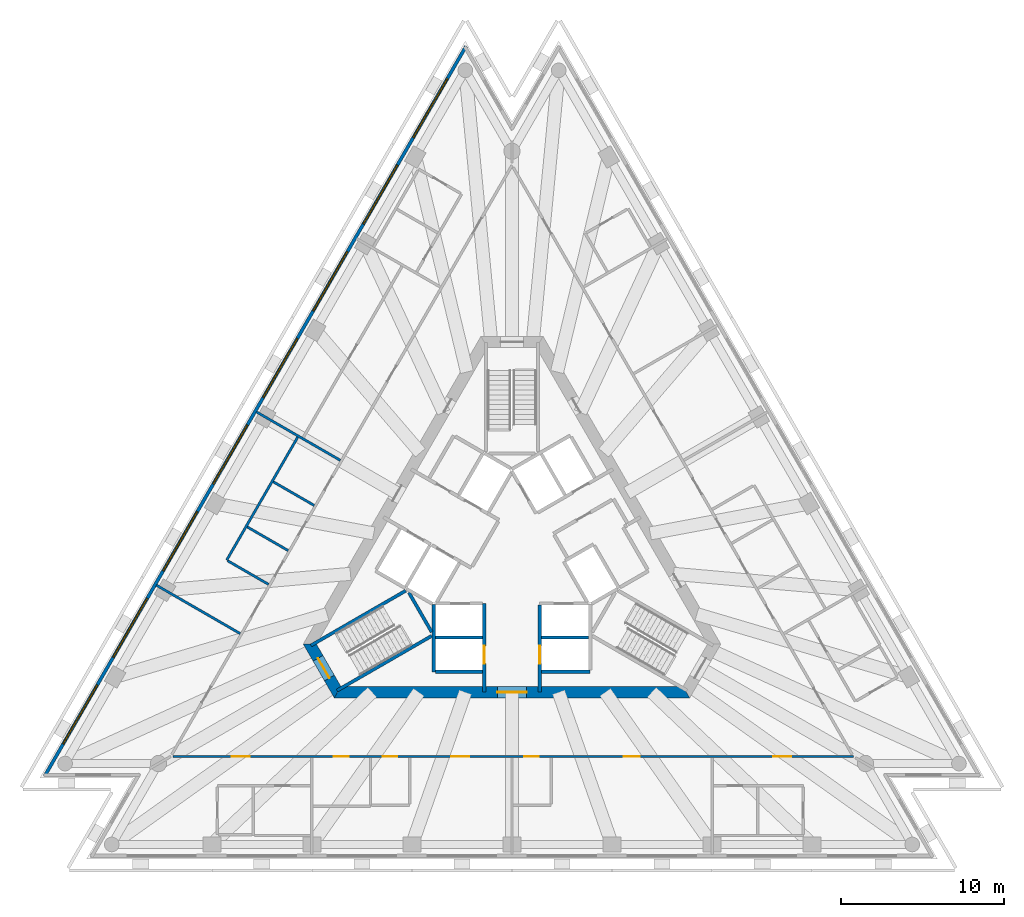
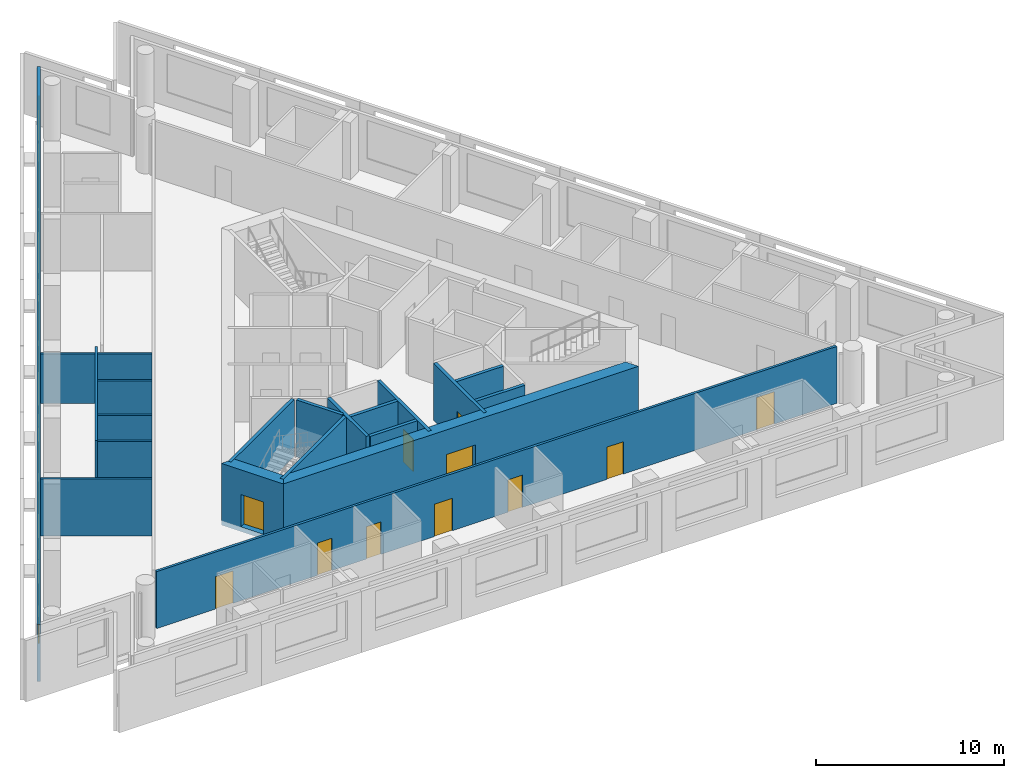
# One storey, part 3 of 9: 20 walls, 11 doors, 8 windows, 19 openings.
"""IFC4 building model written with IfcOpenShell, lengths in metres."""

from ifc_helpers import new_model, si_unit, direction, frame, frame_2d, origin, place, context, subcontext, project, spatial, polyline, rectangle, outline, extrude, material, layer, layer_set, layer_usage, type_object, element, fill, save


model = new_model("IFC4")

# Units and contexts
model_context = context("Model", 3, precision=1e-05, world=origin(), true_north=direction((0.0, 1.0)))
body_context = subcontext(model_context, "Body", "Model", "MODEL_VIEW")
ifc_project = project(units=[si_unit("LENGTHUNIT", "METRE"), si_unit("AREAUNIT", "SQUARE_METRE"), si_unit("VOLUMEUNIT", "CUBIC_METRE"), si_unit("PLANEANGLEUNIT", "RADIAN"), si_unit("MASSUNIT", "GRAM", prefix="KILO")], contexts=[model_context])

# Site, building, storey
site_placement = place(None, origin())
site = spatial("IfcSite", under=ifc_project, at=site_placement, CompositionType="ELEMENT")
building_placement = place(site_placement, origin())
building = spatial("IfcBuilding", under=site, at=building_placement, Name="Triada Interchange Tower", CompositionType="ELEMENT")
storey_placement = place(building_placement, frame((0.0, 0.0, 203.300048828125)))
storey = spatial("IfcBuildingStorey", under=building, at=storey_placement, Name="L47", CompositionType="ELEMENT", Elevation=203.300048828125)

# Walls
ifc_material_1 = material(Name="Concrete C30/37", Category="concrete")
ifc_layer_1 = layer(ifc_material_1, 0.199951171875)
ifc_layer_set_1 = layer_set([ifc_layer_1], Name="CORE WALL 200 EI 120")
wall_type_1 = type_object("IfcWallType", Name="CORE WALL 200 EI 120", PredefinedType="SOLIDWALL", material=ifc_layer_set_1)
for number, where, z_axis, x_axis, name in (
    (1, (-4.699951171875, -4.800048828125, 0.0), (0.0, 0.0, 1.0), (1.0, 0.0, 0.0), "Wall L47 55"),
    (2, (1.800048828125, -4.800048828125, 0.0), (0.0, 0.0, 1.0), (1.0, 0.0, 0.0), "Wall L47 56"),
):
    element("IfcWall", number, at=place(storey_placement, frame(where, z_axis=z_axis, x_axis=x_axis)), inside=storey, type_object=wall_type_1, Name=name, PredefinedType="SOLIDWALL", context=body_context, shape_type="SweptSolid", body=[
        extrude(rectangle(XDim=2.89990234375, YDim=0.199951171875, at=frame_2d((1.449951171875, 0.0))), origin(), (0.0, 0.0, 1.0), 3.699951171875),
    ])
wall_1_placement = place(storey_placement, frame((-4.800048828125, -6.89990234375, 0.0), z_axis=(0.0, 0.0, 1.0), x_axis=(0.0, 1.0, 0.0)))
element("IfcWall", 3, at=wall_1_placement, inside=storey, type_object=wall_type_1, Name="Wall L47 57", PredefinedType="SOLIDWALL", context=body_context, shape_type="SweptSolid", body=[
    extrude(rectangle(XDim=4.130859375, YDim=0.199951171875, at=frame_2d((2.0654296875, 0.0))), origin(), (0.0, 0.0, 1.0), 3.699951171875),
])
wall_2_placement = place(storey_placement, frame((-4.699951171875, -6.89990234375, 0.0), z_axis=(0.0, 0.0, 1.0), x_axis=(1.0, 0.0, 0.0)))
element("IfcWall", 4, at=wall_2_placement, inside=storey, type_object=wall_type_1, Name="Wall L47 58", PredefinedType="SOLIDWALL", context=body_context, shape_type="SweptSolid", body=[
    extrude(rectangle(XDim=2.89990234375, YDim=0.199951171875, at=frame_2d((1.449951171875, 0.0))), origin(), (0.0, 0.0, 1.0), 3.699951171875),
])
wall_3_placement = place(storey_placement, frame((1.800048828125, -6.89990234375, 0.0), z_axis=(0.0, 0.0, 1.0), x_axis=(1.0, 0.0, 0.0)))
element("IfcWall", 5, at=wall_3_placement, inside=storey, type_object=wall_type_1, Name="Wall L47 59", PredefinedType="SOLIDWALL", context=body_context, shape_type="SweptSolid", body=[
    extrude(rectangle(XDim=3.0, YDim=0.199951171875, at=frame_2d((1.5, 0.0))), origin(), (0.0, 0.0, 1.0), 3.699951171875),
])

# Wall, opening, door
wall_4_placement = place(storey_placement, frame((-1.699951171875, -8.1298828125, 0.0), z_axis=(0.0, 0.0, 1.0), x_axis=(0.0, 1.0, 0.0)))
wall_4 = element("IfcWall", 6, at=wall_4_placement, inside=storey, type_object=wall_type_1, Name="Wall L47 60", PredefinedType="SOLIDWALL", context=body_context, shape_type="SweptSolid", body=[
    extrude(rectangle(XDim=5.427001953125, YDim=0.199951171875, at=frame_2d((2.71337890625, 0.0))), origin(), (0.0, 0.0, 1.0), 3.699951171875),
])
opening_1_placement = place(wall_4_placement, frame((1.72998046875, 0.0, 0.0)))
opening_1 = element("IfcOpeningElement", 7, at=opening_1_placement, cuts=wall_4, Name="Opening LD-HR4", PredefinedType="OPENING", context=body_context, shape_type="SweptSolid", body=[
    extrude(rectangle(XDim=1.10009765625, YDim=2.10009765625, at=frame_2d((0.550048828125, 1.050048828125))), frame((0.0, 0.10986328125, 0.0), z_axis=(0.0, -1.0, 0.0), x_axis=(1.0, 0.0, 0.0)), (0.0, 0.0, 1.0), 0.219970703125),
])
ifc_material_2 = material(Name="Steel S235 door leaf", Category="steel")
door_type_1 = type_object("IfcDoorType", Name="LIFT LANDING DOOR 1100 EI 120", OperationType="SLIDING_TO_LEFT", PredefinedType="DOOR", material=ifc_material_2)
door_1_placement = place(opening_1_placement, origin())
door_1 = element("IfcDoor", 8, at=door_1_placement, inside=storey, type_object=door_type_1, Name="HR4 landing door L47", OperationType="SLIDING_TO_LEFT", OverallHeight=2.10009765625, OverallWidth=1.10009765625, PredefinedType="DOOR", context=body_context, shape_type="SweptSolid", body=[
    extrude(rectangle(XDim=1.10009765625, YDim=2.10009765625, at=frame_2d((0.550048828125, 1.050048828125))), frame((0.0, 0.02490234375, 0.0), z_axis=(0.0, -1.0, 0.0), x_axis=(1.0, 0.0, 0.0)), (0.0, 0.0, 1.0), 0.050048828125),
])
fill(opening_1, door_1)

wall_5_placement = place(storey_placement, frame((1.699951171875, -8.1298828125, 0.0), z_axis=(0.0, 0.0, 1.0), x_axis=(0.0, 1.0, 0.0)))
wall_5 = element("IfcWall", 9, at=wall_5_placement, inside=storey, type_object=wall_type_1, Name="Wall L47 67", PredefinedType="SOLIDWALL", context=body_context, shape_type="SweptSolid", body=[
    extrude(rectangle(XDim=5.326904296875, YDim=0.199951171875, at=frame_2d((2.66357421875, 0.0))), origin(), (0.0, 0.0, 1.0), 3.699951171875),
])
opening_2_placement = place(wall_5_placement, frame((1.72998046875, 0.0, 0.0)))
opening_2 = element("IfcOpeningElement", 10, at=opening_2_placement, cuts=wall_5, Name="Opening LD-HR2", PredefinedType="OPENING", context=body_context, shape_type="SweptSolid", body=[
    extrude(rectangle(XDim=1.10009765625, YDim=2.10009765625, at=frame_2d((0.550048828125, 1.050048828125))), frame((0.0, 0.10986328125, 0.0), z_axis=(0.0, -1.0, 0.0), x_axis=(1.0, 0.0, 0.0)), (0.0, 0.0, 1.0), 0.219970703125),
])
door_2_placement = place(opening_2_placement, origin())
door_2 = element("IfcDoor", 11, at=door_2_placement, inside=storey, type_object=door_type_1, Name="HR2 landing door L47", OperationType="SLIDING_TO_LEFT", OverallHeight=2.10009765625, OverallWidth=1.10009765625, PredefinedType="DOOR", context=body_context, shape_type="SweptSolid", body=[
    extrude(rectangle(XDim=1.10009765625, YDim=2.10009765625, at=frame_2d((0.550048828125, 1.050048828125))), frame((0.0, 0.02490234375, 0.0), z_axis=(0.0, -1.0, 0.0), x_axis=(1.0, 0.0, 0.0)), (0.0, 0.0, 1.0), 0.050048828125),
])
fill(opening_2, door_2)

# Walls
ifc_layer_2 = layer(ifc_material_1, 0.199951171875)
ifc_layer_set_2 = layer_set([ifc_layer_2], Name="CORE WALL 200 REI 240")
wall_type_2 = type_object("IfcWallType", Name="CORE WALL 200 REI 240", PredefinedType="SOLIDWALL", material=ifc_layer_set_2)
wall_6_placement = place(storey_placement, frame((-12.343994140625, -5.279052734375, 0.0), z_axis=(0.0, 0.0, 1.0), x_axis=(0.866046323291, 0.499963764601, 0.0)))
element("IfcWall", 12, at=wall_6_placement, inside=storey, type_object=wall_type_2, Name="Wall L47 96", PredefinedType="SOLIDWALL", context=body_context, shape_type="SweptSolid", body=[
    extrude(rectangle(XDim=6.71435546875, YDim=0.199951171875, at=frame_2d((3.357177734375, 0.0))), origin(), (0.0, 0.0, 1.0), 3.699951171875),
])
wall_7_placement = place(storey_placement, frame((-6.3291015625, -2.0380859375, 0.0), z_axis=(0.0, 0.0, 1.0), x_axis=(0.500200581029, -0.865909567298, 0.0)))
element("IfcWall", 13, at=wall_7_placement, inside=storey, type_object=wall_type_2, Name="Wall L47 97", PredefinedType="SOLIDWALL", context=body_context, shape_type="SweptSolid", body=[
    extrude(rectangle(XDim=2.799072265625, YDim=0.199951171875, at=frame_2d((1.3994140625, 0.0))), origin(), (0.0, 0.0, 1.0), 3.699951171875),
])
wall_8_placement = place(storey_placement, frame((-10.743896484375, -8.051025390625, 0.0), z_axis=(0.0, 0.0, 1.0), x_axis=(0.865983344943, 0.500072840975, 0.0)))
element("IfcWall", 14, at=wall_8_placement, inside=storey, type_object=wall_type_2, Name="Wall L47 98", PredefinedType="SOLIDWALL", context=body_context, shape_type="SweptSolid", body=[
    extrude(rectangle(XDim=6.71484375, YDim=0.199951171875, at=frame_2d((3.357421875, 0.0))), origin(), (0.0, 0.0, 1.0), 3.699951171875),
])

# Wall, opening, door
ifc_material_3 = material(Name="Concrete C50/60", Category="concrete")
ifc_layer_3 = layer(ifc_material_3, 0.699951171875)
ifc_layer_set_3 = layer_set([ifc_layer_3], Name="Core wall C 700")
wall_type_3 = type_object("IfcWallType", Name="Core wall C 700", PredefinedType="SHEAR", material=ifc_layer_set_3)
wall_9_placement = place(storey_placement, frame((-12.4130859375, -5.199951171875, -0.300048828125), z_axis=(0.0, 0.0, 1.0), x_axis=(0.49999337185, -0.866029230515, 0.0)))
wall_9 = element("IfcWall", 15, at=wall_9_placement, inside=storey, type_object=wall_type_3, Name="Core wall WC03 L47", PredefinedType="SHEAR", context=body_context, shape_type="SweptSolid", body=[
    extrude(outline(polyline([(-0.201904296875, -0.35009765625), (1.703125, -0.35009765625), (3.60791015625, -0.35009765625), (3.2041015625, 0.35009765625), (1.703125, 0.35009765625), (0.201904296875, 0.35009765625), (-0.201904296875, -0.35009765625)])), origin(), (0.0, 0.0, 1.0), 4.0),
])
opening_3_placement = place(wall_9_placement, frame((1.0029296875, 0.0, 0.300048828125)))
opening_3 = element("IfcOpeningElement", 16, at=opening_3_placement, cuts=wall_9, Name="Opening D47-45", PredefinedType="OPENING", context=body_context, shape_type="SweptSolid", body=[
    extrude(rectangle(XDim=1.39990234375, YDim=2.10009765625, at=frame_2d((0.699951171875, 1.050048828125))), frame((0.0, 0.360107421875, 0.0), z_axis=(0.0, -1.0, 0.0), x_axis=(1.0, 0.0, 0.0)), (0.0, 0.0, 1.0), 0.72021484375),
])
door_type_2 = type_object("IfcDoorType", Name="STAIR DOOR 1400 EI2 90-C5S200", OperationType="DOUBLE_DOOR_SINGLE_SWING", PredefinedType="DOOR", material=ifc_material_2)
door_3_placement = place(opening_3_placement, origin())
door_3 = element("IfcDoor", 17, at=door_3_placement, inside=storey, type_object=door_type_2, Name="Door D47-45 L47", OperationType="DOUBLE_DOOR_SINGLE_SWING", OverallHeight=2.10009765625, OverallWidth=1.39990234375, PredefinedType="DOOR", context=body_context, shape_type="SweptSolid", body=[
    extrude(rectangle(XDim=1.39990234375, YDim=2.10009765625, at=frame_2d((0.699951171875, 1.050048828125))), frame((0.0, 0.02490234375, 0.0), z_axis=(0.0, -1.0, 0.0), x_axis=(1.0, 0.0, 0.0)), (0.0, 0.0, 1.0), 0.050048828125),
])
fill(opening_3, door_3)

wall_10_placement = place(storey_placement, frame((-10.7099609375, -8.14990234375, -0.300048828125), z_axis=(0.0, 0.0, 1.0), x_axis=(1.0, 0.0, 0.0)))
wall_10 = element("IfcWall", 18, at=wall_10_placement, inside=storey, type_object=wall_type_3, Name="Core wall WC04 L47", PredefinedType="SHEAR", context=body_context, shape_type="SweptSolid", body=[
    extrude(outline(polyline([(-0.201904296875, -0.35009765625), (1.781982421875, -0.35009765625), (3.76611328125, -0.35009765625), (5.75, -0.35009765625), (7.734130859375, -0.35009765625), (9.718017578125, -0.35009765625), (11.7021484375, -0.35009765625), (13.68603515625, -0.35009765625), (15.670166015625, -0.35009765625), (17.654052734375, -0.35009765625), (19.63818359375, -0.35009765625), (21.6220703125, -0.35009765625), (21.218017578125, 0.35009765625), (19.307373046875, 0.35009765625), (17.39697265625, 0.35009765625), (15.486328125, 0.35009765625), (13.57568359375, 0.35009765625), (11.665283203125, 0.35009765625), (9.754638671875, 0.35009765625), (7.84423828125, 0.35009765625), (5.93359375, 0.35009765625), (4.02294921875, 0.35009765625), (2.112548828125, 0.35009765625), (0.201904296875, 0.35009765625), (-0.201904296875, -0.35009765625)])), origin(), (0.0, 0.0, 1.0), 4.0),
])
opening_4_placement = place(wall_10_placement, frame((9.81005859375, 0.0, 0.300048828125)))
opening_4 = element("IfcOpeningElement", 19, at=opening_4_placement, cuts=wall_10, Name="Opening D47-43", PredefinedType="OPENING", context=body_context, shape_type="SweptSolid", body=[
    extrude(rectangle(XDim=1.800048828125, YDim=2.10009765625, at=frame_2d((0.89990234375, 1.050048828125))), frame((0.0, 0.360107421875, 0.0), z_axis=(0.0, -1.0, 0.0), x_axis=(1.0, 0.0, 0.0)), (0.0, 0.0, 1.0), 0.72021484375),
])
door_type_3 = type_object("IfcDoorType", Name="LOBBY DOOR 1800 EI2 90-C5S200", OperationType="DOUBLE_DOOR_SINGLE_SWING", PredefinedType="DOOR", material=ifc_material_2)
door_4_placement = place(opening_4_placement, origin())
door_4 = element("IfcDoor", 20, at=door_4_placement, inside=storey, type_object=door_type_3, Name="Door D47-43 L47", OperationType="DOUBLE_DOOR_SINGLE_SWING", OverallHeight=2.10009765625, OverallWidth=1.800048828125, PredefinedType="DOOR", context=body_context, shape_type="SweptSolid", body=[
    extrude(rectangle(XDim=1.800048828125, YDim=2.10009765625, at=frame_2d((0.89990234375, 1.050048828125))), frame((0.0, 0.02490234375, 0.0), z_axis=(0.0, -1.0, 0.0), x_axis=(1.0, 0.0, 0.0)), (0.0, 0.0, 1.0), 0.050048828125),
])
fill(opening_4, door_4)

# Wall, openings, windows
ifc_material_4 = material(Name="Cement board")
ifc_layer_4 = layer(ifc_material_4, 0.02001953125, Name="Cement board cladding")
ifc_material_5 = material(Name="Sheathing board")
ifc_layer_5 = layer(ifc_material_5, 0.014892578125, Name="Sheathing board")
ifc_material_6 = material(Name="Mineral wool")
ifc_layer_6 = layer(ifc_material_6, 0.14990234375, Name="Mineral wool between steel studs")
ifc_material_7 = material(Name="Gypsum board")
ifc_layer_7 = layer(ifc_material_7, 0.014892578125, Name="Plasterboard lining")
ifc_layer_set_4 = layer_set([ifc_layer_4, ifc_layer_5, ifc_layer_6, ifc_layer_7], Name="External wall 200")
ifc_layer_usage = layer_usage(ifc_layer_set_4, "AXIS2", "POSITIVE", -0.10009765625)
wall_type_4 = type_object("IfcWallType", Name="External wall 200", PredefinedType="ELEMENTEDWALL", material=ifc_layer_set_4)
wall_11_placement = place(storey_placement, frame((-2.823974609375, 31.512939453125, 0.0), z_axis=(0.0, 0.0, 1.0), x_axis=(-0.500012324412, -0.866018288165, 0.0)))
wall_11 = element("IfcWall", 21, at=wall_11_placement, inside=storey, type_object=wall_type_4, material=ifc_layer_usage, Name="External wall L47 NW", PredefinedType="ELEMENTEDWALL", context=body_context, shape_type="SweptSolid", body=[
    extrude(rectangle(XDim=51.739013671875, YDim=0.199951171875, at=frame_2d((25.86962890625, 0.0))), origin(), (0.0, 0.0, 1.0), 3.699951171875),
])
opening_5_placement = place(wall_11_placement, frame((2.27490234375, 0.0, 0.89990234375)))
opening_5 = element("IfcOpeningElement", 22, at=opening_5_placement, cuts=wall_11, Name="Opening WC01", PredefinedType="OPENING", context=body_context, shape_type="SweptSolid", body=[
    extrude(rectangle(XDim=4.199951171875, YDim=2.5, at=frame_2d((2.10009765625, 1.25))), frame((0.0, 0.10986328125, 0.0), z_axis=(0.0, -1.0, 0.0), x_axis=(1.0, 0.0, 0.0)), (0.0, 0.0, 1.0), 0.219970703125),
])
opening_6_placement = place(wall_11_placement, frame((8.4189453125, 0.0, 0.89990234375)))
opening_6 = element("IfcOpeningElement", 23, at=opening_6_placement, cuts=wall_11, Name="Opening WC02", PredefinedType="OPENING", context=body_context, shape_type="SweptSolid", body=[
    extrude(rectangle(XDim=4.199951171875, YDim=2.5, at=frame_2d((2.10009765625, 1.25))), frame((0.0, 0.10986328125, 0.0), z_axis=(0.0, -1.0, 0.0), x_axis=(1.0, 0.0, 0.0)), (0.0, 0.0, 1.0), 0.219970703125),
])
opening_7_placement = place(wall_11_placement, frame((14.56298828125, 0.0, 0.89990234375)))
opening_7 = element("IfcOpeningElement", 24, at=opening_7_placement, cuts=wall_11, Name="Opening WC03", PredefinedType="OPENING", context=body_context, shape_type="SweptSolid", body=[
    extrude(rectangle(XDim=4.199951171875, YDim=2.5, at=frame_2d((2.10009765625, 1.25))), frame((0.0, 0.10986328125, 0.0), z_axis=(0.0, -1.0, 0.0), x_axis=(1.0, 0.0, 0.0)), (0.0, 0.0, 1.0), 0.219970703125),
])
opening_8_placement = place(wall_11_placement, frame((20.70703125, 0.0, 0.89990234375)))
opening_8 = element("IfcOpeningElement", 25, at=opening_8_placement, cuts=wall_11, Name="Opening WC04", PredefinedType="OPENING", context=body_context, shape_type="SweptSolid", body=[
    extrude(rectangle(XDim=4.199951171875, YDim=2.5, at=frame_2d((2.10009765625, 1.25))), frame((0.0, 0.10986328125, 0.0), z_axis=(0.0, -1.0, 0.0), x_axis=(1.0, 0.0, 0.0)), (0.0, 0.0, 1.0), 0.219970703125),
])
opening_9_placement = place(wall_11_placement, frame((26.85107421875, 0.0, 0.89990234375)))
opening_9 = element("IfcOpeningElement", 26, at=opening_9_placement, cuts=wall_11, Name="Opening WC05", PredefinedType="OPENING", context=body_context, shape_type="SweptSolid", body=[
    extrude(rectangle(XDim=4.199951171875, YDim=2.5, at=frame_2d((2.10009765625, 1.25))), frame((0.0, 0.10986328125, 0.0), z_axis=(0.0, -1.0, 0.0), x_axis=(1.0, 0.0, 0.0)), (0.0, 0.0, 1.0), 0.219970703125),
])
opening_10_placement = place(wall_11_placement, frame((32.9951171875, 0.0, 0.89990234375)))
opening_10 = element("IfcOpeningElement", 27, at=opening_10_placement, cuts=wall_11, Name="Opening WC06", PredefinedType="OPENING", context=body_context, shape_type="SweptSolid", body=[
    extrude(rectangle(XDim=4.199951171875, YDim=2.5, at=frame_2d((2.10009765625, 1.25))), frame((0.0, 0.10986328125, 0.0), z_axis=(0.0, -1.0, 0.0), x_axis=(1.0, 0.0, 0.0)), (0.0, 0.0, 1.0), 0.219970703125),
])
opening_11_placement = place(wall_11_placement, frame((39.139892578125, 0.0, 0.89990234375)))
opening_11 = element("IfcOpeningElement", 28, at=opening_11_placement, cuts=wall_11, Name="Opening WC07", PredefinedType="OPENING", context=body_context, shape_type="SweptSolid", body=[
    extrude(rectangle(XDim=4.199951171875, YDim=2.5, at=frame_2d((2.10009765625, 1.25))), frame((0.0, 0.10986328125, 0.0), z_axis=(0.0, -1.0, 0.0), x_axis=(1.0, 0.0, 0.0)), (0.0, 0.0, 1.0), 0.219970703125),
])
opening_12_placement = place(wall_11_placement, frame((45.283935546875, 0.0, 0.89990234375)))
opening_12 = element("IfcOpeningElement", 29, at=opening_12_placement, cuts=wall_11, Name="Opening WC08", PredefinedType="OPENING", context=body_context, shape_type="SweptSolid", body=[
    extrude(rectangle(XDim=4.199951171875, YDim=2.5, at=frame_2d((2.10009765625, 1.25))), frame((0.0, 0.10986328125, 0.0), z_axis=(0.0, -1.0, 0.0), x_axis=(1.0, 0.0, 0.0)), (0.0, 0.0, 1.0), 0.219970703125),
])
ifc_material_8 = material(Name="Double glazed aluminium window", Category="aluminium")
window_type = type_object("IfcWindowType", Name="Ribbon window C face", PartitioningType="SINGLE_PANEL", PredefinedType="WINDOW", material=ifc_material_8)
window_1_placement = place(opening_5_placement, origin())
window_1 = element("IfcWindow", 30, at=window_1_placement, inside=storey, type_object=window_type, Name="Window L47 NW 1", OverallHeight=2.5, OverallWidth=4.199951171875, PartitioningType="SINGLE_PANEL", PredefinedType="WINDOW", context=body_context, shape_type="SweptSolid", body=[
    extrude(rectangle(XDim=4.199951171875, YDim=2.5, at=frame_2d((2.10009765625, 1.25))), frame((0.0, 0.030029296875, 0.0), z_axis=(0.0, -1.0, 0.0), x_axis=(1.0, 0.0, 0.0)), (0.0, 0.0, 1.0), 0.06005859375),
])
fill(opening_5, window_1)
window_2_placement = place(opening_6_placement, origin())
window_2 = element("IfcWindow", 31, at=window_2_placement, inside=storey, type_object=window_type, Name="Window L47 NW 2", OverallHeight=2.5, OverallWidth=4.199951171875, PartitioningType="SINGLE_PANEL", PredefinedType="WINDOW", context=body_context, shape_type="SweptSolid", body=[
    extrude(rectangle(XDim=4.199951171875, YDim=2.5, at=frame_2d((2.10009765625, 1.25))), frame((0.0, 0.030029296875, 0.0), z_axis=(0.0, -1.0, 0.0), x_axis=(1.0, 0.0, 0.0)), (0.0, 0.0, 1.0), 0.06005859375),
])
fill(opening_6, window_2)
window_3_placement = place(opening_7_placement, origin())
window_3 = element("IfcWindow", 32, at=window_3_placement, inside=storey, type_object=window_type, Name="Window L47 NW 3", OverallHeight=2.5, OverallWidth=4.199951171875, PartitioningType="SINGLE_PANEL", PredefinedType="WINDOW", context=body_context, shape_type="SweptSolid", body=[
    extrude(rectangle(XDim=4.199951171875, YDim=2.5, at=frame_2d((2.10009765625, 1.25))), frame((0.0, 0.030029296875, 0.0), z_axis=(0.0, -1.0, 0.0), x_axis=(1.0, 0.0, 0.0)), (0.0, 0.0, 1.0), 0.06005859375),
])
fill(opening_7, window_3)
window_4_placement = place(opening_8_placement, origin())
window_4 = element("IfcWindow", 33, at=window_4_placement, inside=storey, type_object=window_type, Name="Window L47 NW 4", OverallHeight=2.5, OverallWidth=4.199951171875, PartitioningType="SINGLE_PANEL", PredefinedType="WINDOW", context=body_context, shape_type="SweptSolid", body=[
    extrude(rectangle(XDim=4.199951171875, YDim=2.5, at=frame_2d((2.10009765625, 1.25))), frame((0.0, 0.030029296875, 0.0), z_axis=(0.0, -1.0, 0.0), x_axis=(1.0, 0.0, 0.0)), (0.0, 0.0, 1.0), 0.06005859375),
])
fill(opening_8, window_4)
window_5_placement = place(opening_9_placement, origin())
window_5 = element("IfcWindow", 34, at=window_5_placement, inside=storey, type_object=window_type, Name="Window L47 NW 5", OverallHeight=2.5, OverallWidth=4.199951171875, PartitioningType="SINGLE_PANEL", PredefinedType="WINDOW", context=body_context, shape_type="SweptSolid", body=[
    extrude(rectangle(XDim=4.199951171875, YDim=2.5, at=frame_2d((2.10009765625, 1.25))), frame((0.0, 0.030029296875, 0.0), z_axis=(0.0, -1.0, 0.0), x_axis=(1.0, 0.0, 0.0)), (0.0, 0.0, 1.0), 0.06005859375),
])
fill(opening_9, window_5)
window_6_placement = place(opening_10_placement, origin())
window_6 = element("IfcWindow", 35, at=window_6_placement, inside=storey, type_object=window_type, Name="Window L47 NW 6", OverallHeight=2.5, OverallWidth=4.199951171875, PartitioningType="SINGLE_PANEL", PredefinedType="WINDOW", context=body_context, shape_type="SweptSolid", body=[
    extrude(rectangle(XDim=4.199951171875, YDim=2.5, at=frame_2d((2.10009765625, 1.25))), frame((0.0, 0.030029296875, 0.0), z_axis=(0.0, -1.0, 0.0), x_axis=(1.0, 0.0, 0.0)), (0.0, 0.0, 1.0), 0.06005859375),
])
fill(opening_10, window_6)
window_7_placement = place(opening_11_placement, origin())
window_7 = element("IfcWindow", 36, at=window_7_placement, inside=storey, type_object=window_type, Name="Window L47 NW 7", OverallHeight=2.5, OverallWidth=4.199951171875, PartitioningType="SINGLE_PANEL", PredefinedType="WINDOW", context=body_context, shape_type="SweptSolid", body=[
    extrude(rectangle(XDim=4.199951171875, YDim=2.5, at=frame_2d((2.10009765625, 1.25))), frame((0.0, 0.030029296875, 0.0), z_axis=(0.0, -1.0, 0.0), x_axis=(1.0, 0.0, 0.0)), (0.0, 0.0, 1.0), 0.06005859375),
])
fill(opening_11, window_7)
window_8_placement = place(opening_12_placement, origin())
window_8 = element("IfcWindow", 37, at=window_8_placement, inside=storey, type_object=window_type, Name="Window L47 NW 8", OverallHeight=2.5, OverallWidth=4.199951171875, PartitioningType="SINGLE_PANEL", PredefinedType="WINDOW", context=body_context, shape_type="SweptSolid", body=[
    extrude(rectangle(XDim=4.199951171875, YDim=2.5, at=frame_2d((2.10009765625, 1.25))), frame((0.0, 0.030029296875, 0.0), z_axis=(0.0, -1.0, 0.0), x_axis=(1.0, 0.0, 0.0)), (0.0, 0.0, 1.0), 0.06005859375),
])
fill(opening_12, window_8)

# Wall
ifc_material_9 = material(Name="Gypsum board partition")
ifc_layer_8 = layer(ifc_material_9, 0.14990234375)
ifc_layer_set_5 = layer_set([ifc_layer_8], Name="PARTITION 150 EI 180")
wall_type_5 = type_object("IfcWallType", Name="PARTITION 150 EI 180", PredefinedType="PARTITIONING", material=ifc_layer_set_5)
wall_12_placement = place(storey_placement, frame((-21.839111328125, -1.5810546875, 0.0), z_axis=(0.0, 0.0, 1.0), x_axis=(0.866034527326, -0.49998419723, 0.0)))
element("IfcWall", 38, at=wall_12_placement, inside=storey, type_object=wall_type_5, Name="Wall L47 3", PredefinedType="PARTITIONING", context=body_context, shape_type="SweptSolid", body=[
    extrude(rectangle(XDim=5.947998046875, YDim=0.14990234375, at=frame_2d((2.97412109375, 0.0))), origin(), (0.0, 0.0, 1.0), 3.699951171875),
])

# Wall, openings, doors
wall_13_placement = place(storey_placement, frame((-20.80810546875, -12.10009765625, 0.0), z_axis=(0.0, 0.0, 1.0), x_axis=(1.0, 0.0, 0.0)))
wall_13 = element("IfcWall", 39, at=wall_13_placement, inside=storey, type_object=wall_type_5, Name="Wall L47 5", PredefinedType="PARTITIONING", context=body_context, shape_type="SweptSolid", body=[
    extrude(rectangle(XDim=41.76611328125, YDim=0.14990234375, at=frame_2d((20.883056640625, 0.0))), origin(), (0.0, 0.0, 1.0), 3.699951171875),
])
opening_13_placement = place(wall_13_placement, frame((3.60009765625, 0.0, 0.0)))
opening_13 = element("IfcOpeningElement", 40, at=opening_13_placement, cuts=wall_13, Name="Opening D47-11", PredefinedType="OPENING", context=body_context, shape_type="SweptSolid", body=[
    extrude(rectangle(XDim=1.10009765625, YDim=2.10009765625, at=frame_2d((0.550048828125, 1.050048828125))), frame((0.0, 0.0849609375, 0.0), z_axis=(0.0, -1.0, 0.0), x_axis=(1.0, 0.0, 0.0)), (0.0, 0.0, 1.0), 0.169921875),
])
opening_14_placement = place(wall_13_placement, frame((17.070068359375, 0.0, 0.0)))
opening_14 = element("IfcOpeningElement", 41, at=opening_14_placement, cuts=wall_13, Name="Opening D47-14", PredefinedType="OPENING", context=body_context, shape_type="SweptSolid", body=[
    extrude(rectangle(XDim=1.10009765625, YDim=2.10009765625, at=frame_2d((0.550048828125, 1.050048828125))), frame((0.0, 0.0849609375, 0.0), z_axis=(0.0, -1.0, 0.0), x_axis=(1.0, 0.0, 0.0)), (0.0, 0.0, 1.0), 0.169921875),
])
opening_15_placement = place(wall_13_placement, frame((9.8701171875, 0.0, 0.0)))
opening_15 = element("IfcOpeningElement", 42, at=opening_15_placement, cuts=wall_13, Name="Opening D47-15", PredefinedType="OPENING", context=body_context, shape_type="SweptSolid", body=[
    extrude(rectangle(XDim=0.89990234375, YDim=2.10009765625, at=frame_2d((0.449951171875, 1.050048828125))), frame((0.0, 0.0849609375, 0.0), z_axis=(0.0, -1.0, 0.0), x_axis=(1.0, 0.0, 0.0)), (0.0, 0.0, 1.0), 0.169921875),
])
opening_16_placement = place(wall_13_placement, frame((12.8701171875, 0.0, 0.0)))
opening_16 = element("IfcOpeningElement", 43, at=opening_16_placement, cuts=wall_13, Name="Opening D47-16", PredefinedType="OPENING", context=body_context, shape_type="SweptSolid", body=[
    extrude(rectangle(XDim=0.89990234375, YDim=2.10009765625, at=frame_2d((0.449951171875, 1.050048828125))), frame((0.0, 0.0849609375, 0.0), z_axis=(0.0, -1.0, 0.0), x_axis=(1.0, 0.0, 0.0)), (0.0, 0.0, 1.0), 0.169921875),
])
opening_17_placement = place(wall_13_placement, frame((27.657958984375, 0.0, 0.0)))
opening_17 = element("IfcOpeningElement", 44, at=opening_17_placement, cuts=wall_13, Name="Opening D47-17", PredefinedType="OPENING", context=body_context, shape_type="SweptSolid", body=[
    extrude(rectangle(XDim=1.0, YDim=2.10009765625, at=frame_2d((0.5, 1.050048828125))), frame((0.0, 0.0849609375, 0.0), z_axis=(0.0, -1.0, 0.0), x_axis=(1.0, 0.0, 0.0)), (0.0, 0.0, 1.0), 0.169921875),
])
opening_18_placement = place(wall_13_placement, frame((21.55810546875, 0.0, 0.0)))
opening_18 = element("IfcOpeningElement", 45, at=opening_18_placement, cuts=wall_13, Name="Opening D47-18", PredefinedType="OPENING", context=body_context, shape_type="SweptSolid", body=[
    extrude(rectangle(XDim=0.89990234375, YDim=2.10009765625, at=frame_2d((0.449951171875, 1.050048828125))), frame((0.0, 0.0849609375, 0.0), z_axis=(0.0, -1.0, 0.0), x_axis=(1.0, 0.0, 0.0)), (0.0, 0.0, 1.0), 0.169921875),
])
opening_19_placement = place(wall_13_placement, frame((36.846923828125, 0.0, 0.0)))
opening_19 = element("IfcOpeningElement", 46, at=opening_19_placement, cuts=wall_13, Name="Opening D47-19", PredefinedType="OPENING", context=body_context, shape_type="SweptSolid", body=[
    extrude(rectangle(XDim=1.10009765625, YDim=2.10009765625, at=frame_2d((0.550048828125, 1.050048828125))), frame((0.0, 0.0849609375, 0.0), z_axis=(0.0, -1.0, 0.0), x_axis=(1.0, 0.0, 0.0)), (0.0, 0.0, 1.0), 0.169921875),
])
door_type_4 = type_object("IfcDoorType", Name="ROOM DOOR 1000 EI2 90-C5S200", OperationType="NOTDEFINED", PredefinedType="DOOR", material=ifc_material_2)
door_5_placement = place(opening_17_placement, origin())
door_5 = element("IfcDoor", 47, at=door_5_placement, inside=storey, type_object=door_type_4, Name="Door D47-17 L47", OperationType="SINGLE_SWING_RIGHT", OverallHeight=2.10009765625, OverallWidth=1.0, PredefinedType="DOOR", context=body_context, shape_type="SweptSolid", body=[
    extrude(rectangle(XDim=1.0, YDim=2.10009765625, at=frame_2d((0.5, 1.050048828125))), frame((0.0, 0.02490234375, 0.0), z_axis=(0.0, -1.0, 0.0), x_axis=(1.0, 0.0, 0.0)), (0.0, 0.0, 1.0), 0.050048828125),
])
fill(opening_17, door_5)
door_type_5 = type_object("IfcDoorType", Name="ROOM DOOR 900 EI2 90-C5S200", OperationType="NOTDEFINED", PredefinedType="DOOR", material=ifc_material_2)
door_6_placement = place(opening_15_placement, origin())
door_6 = element("IfcDoor", 48, at=door_6_placement, inside=storey, type_object=door_type_5, Name="Door D47-15 L47", OperationType="SINGLE_SWING_RIGHT", OverallHeight=2.10009765625, OverallWidth=0.89990234375, PredefinedType="DOOR", context=body_context, shape_type="SweptSolid", body=[
    extrude(rectangle(XDim=0.89990234375, YDim=2.10009765625, at=frame_2d((0.449951171875, 1.050048828125))), frame((0.0, 0.02490234375, 0.0), z_axis=(0.0, -1.0, 0.0), x_axis=(1.0, 0.0, 0.0)), (0.0, 0.0, 1.0), 0.050048828125),
])
fill(opening_15, door_6)
door_7_placement = place(opening_16_placement, origin())
door_7 = element("IfcDoor", 49, at=door_7_placement, inside=storey, type_object=door_type_5, Name="Door D47-16 L47", OperationType="SINGLE_SWING_RIGHT", OverallHeight=2.10009765625, OverallWidth=0.89990234375, PredefinedType="DOOR", context=body_context, shape_type="SweptSolid", body=[
    extrude(rectangle(XDim=0.89990234375, YDim=2.10009765625, at=frame_2d((0.449951171875, 1.050048828125))), frame((0.0, 0.02490234375, 0.0), z_axis=(0.0, -1.0, 0.0), x_axis=(1.0, 0.0, 0.0)), (0.0, 0.0, 1.0), 0.050048828125),
])
fill(opening_16, door_7)
door_type_6 = type_object("IfcDoorType", Name="SERVICE DOOR 900 EI2 90-C5S200", OperationType="NOTDEFINED", PredefinedType="DOOR", material=ifc_material_2)
door_8_placement = place(opening_18_placement, origin())
door_8 = element("IfcDoor", 50, at=door_8_placement, inside=storey, type_object=door_type_6, Name="Door D47-18 L47", OperationType="SINGLE_SWING_RIGHT", OverallHeight=2.10009765625, OverallWidth=0.89990234375, PredefinedType="DOOR", context=body_context, shape_type="SweptSolid", body=[
    extrude(rectangle(XDim=0.89990234375, YDim=2.10009765625, at=frame_2d((0.449951171875, 1.050048828125))), frame((0.0, 0.02490234375, 0.0), z_axis=(0.0, -1.0, 0.0), x_axis=(1.0, 0.0, 0.0)), (0.0, 0.0, 1.0), 0.050048828125),
])
fill(opening_18, door_8)
door_type_7 = type_object("IfcDoorType", Name="TENANCY ENTRANCE DOOR 1100 EI2 90-C5S200", OperationType="NOTDEFINED", PredefinedType="DOOR", material=ifc_material_2)
door_9_placement = place(opening_13_placement, origin())
door_9 = element("IfcDoor", 51, at=door_9_placement, inside=storey, type_object=door_type_7, Name="Door D47-11 L47", OperationType="SINGLE_SWING_RIGHT", OverallHeight=2.10009765625, OverallWidth=1.10009765625, PredefinedType="DOOR", context=body_context, shape_type="SweptSolid", body=[
    extrude(rectangle(XDim=1.10009765625, YDim=2.10009765625, at=frame_2d((0.550048828125, 1.050048828125))), frame((0.0, 0.02490234375, 0.0), z_axis=(0.0, -1.0, 0.0), x_axis=(1.0, 0.0, 0.0)), (0.0, 0.0, 1.0), 0.050048828125),
])
fill(opening_13, door_9)
door_10_placement = place(opening_14_placement, origin())
door_10 = element("IfcDoor", 52, at=door_10_placement, inside=storey, type_object=door_type_7, Name="Door D47-14 L47", OperationType="SINGLE_SWING_LEFT", OverallHeight=2.10009765625, OverallWidth=1.10009765625, PredefinedType="DOOR", context=body_context, shape_type="SweptSolid", body=[
    extrude(rectangle(XDim=1.10009765625, YDim=2.10009765625, at=frame_2d((0.550048828125, 1.050048828125))), frame((0.0, 0.02490234375, 0.0), z_axis=(0.0, -1.0, 0.0), x_axis=(1.0, 0.0, 0.0)), (0.0, 0.0, 1.0), 0.050048828125),
])
fill(opening_14, door_10)
door_11_placement = place(opening_19_placement, origin())
door_11 = element("IfcDoor", 53, at=door_11_placement, inside=storey, type_object=door_type_7, Name="Door D47-19 L47", OperationType="SINGLE_SWING_LEFT", OverallHeight=2.10009765625, OverallWidth=1.10009765625, PredefinedType="DOOR", context=body_context, shape_type="SweptSolid", body=[
    extrude(rectangle(XDim=1.10009765625, YDim=2.10009765625, at=frame_2d((0.550048828125, 1.050048828125))), frame((0.0, 0.02490234375, 0.0), z_axis=(0.0, -1.0, 0.0), x_axis=(1.0, 0.0, 0.0)), (0.0, 0.0, 1.0), 0.050048828125),
])
fill(opening_19, door_11)

# Walls
wall_14_placement = place(storey_placement, frame((-17.52099609375, -0.0458984375, 0.0), z_axis=(0.0, 0.0, 1.0), x_axis=(0.499970334739, 0.866042530354, 0.0)))
element("IfcWall", 54, at=wall_14_placement, inside=storey, type_object=wall_type_5, Name="Wall L47 6", PredefinedType="PARTITIONING", context=body_context, shape_type="SweptSolid", body=[
    extrude(rectangle(XDim=8.724609375, YDim=0.14990234375, at=frame_2d((4.3623046875, 0.0))), origin(), (0.0, 0.0, 1.0), 3.699951171875),
])
wall_15_placement = place(storey_placement, frame((-17.4560546875, -0.0830078125, 0.0), z_axis=(0.0, 0.0, 1.0), x_axis=(0.865929066901, -0.500166823267, 0.0)))
element("IfcWall", 55, at=wall_15_placement, inside=storey, type_object=wall_type_5, Name="Wall L47 7", PredefinedType="PARTITIONING", context=body_context, shape_type="SweptSolid", body=[
    extrude(rectangle(XDim=2.90087890625, YDim=0.14990234375, at=frame_2d((1.450439453125, 0.0))), origin(), (0.0, 0.0, 1.0), 3.699951171875),
])
wall_16_placement = place(storey_placement, frame((-16.256103515625, 1.9951171875, 0.0), z_axis=(0.0, 0.0, 1.0), x_axis=(0.866059450854, -0.499941024108, 0.0)))
element("IfcWall", 56, at=wall_16_placement, inside=storey, type_object=wall_type_5, Name="Wall L47 8", PredefinedType="PARTITIONING", context=body_context, shape_type="SweptSolid", body=[
    extrude(rectangle(XDim=2.900634765625, YDim=0.14990234375, at=frame_2d((1.4501953125, 0.0))), origin(), (0.0, 0.0, 1.0), 3.699951171875),
])
wall_17_placement = place(storey_placement, frame((-15.695068359375, 9.06103515625, 0.0), z_axis=(0.0, 0.0, 1.0), x_axis=(0.866016753976, -0.500014981608, 0.0)))
element("IfcWall", 57, at=wall_17_placement, inside=storey, type_object=wall_type_5, Name="Wall L47 9", PredefinedType="PARTITIONING", context=body_context, shape_type="SweptSolid", body=[
    extrude(rectangle(XDim=5.947998046875, YDim=0.14990234375, at=frame_2d((2.97412109375, 0.0))), origin(), (0.0, 0.0, 1.0), 3.199951171875),
])
wall_18_placement = place(storey_placement, frame((-14.656005859375, 4.76611328125, 0.0), z_axis=(0.0, 0.0, 1.0), x_axis=(0.866038412228, -0.499977468037, 0.0)))
element("IfcWall", 58, at=wall_18_placement, inside=storey, type_object=wall_type_5, Name="Wall L47 11", PredefinedType="PARTITIONING", context=body_context, shape_type="SweptSolid", body=[
    extrude(rectangle(XDim=2.900634765625, YDim=0.14990234375, at=frame_2d((1.4501953125, 0.0))), origin(), (0.0, 0.0, 1.0), 3.699951171875),
])

save(model, "model.ifc")
